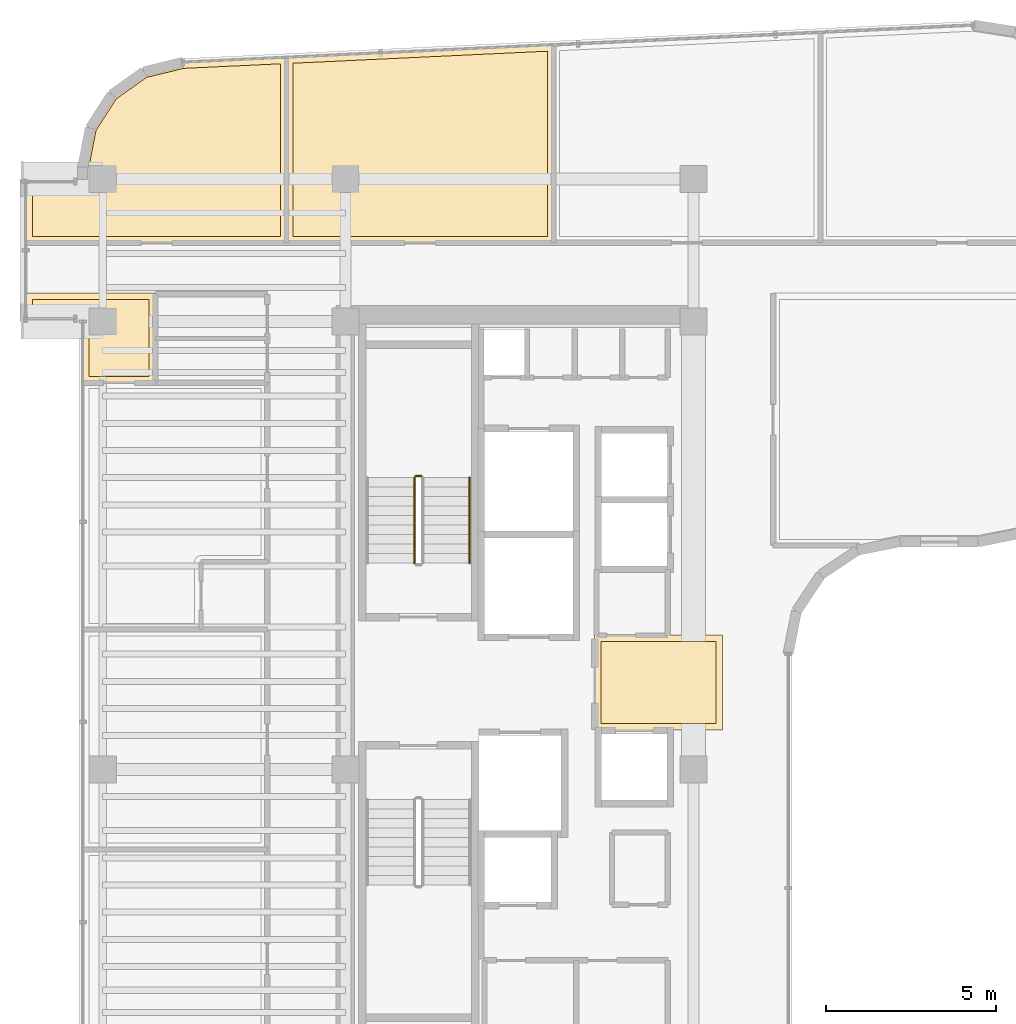
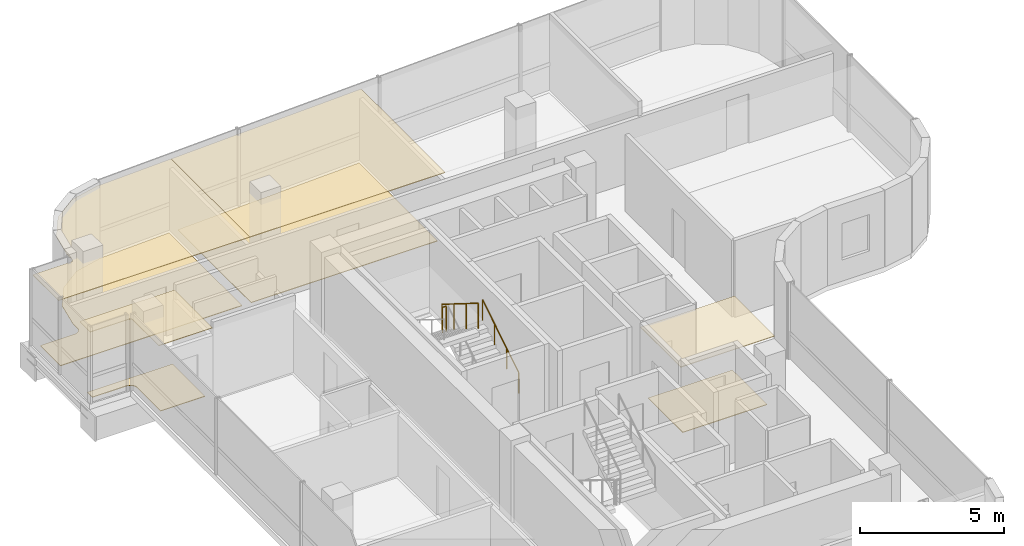
# One storey, part 20 of 21: 8 coverings, 3 railings.
"""IFC4 building model written with IfcOpenShell, lengths in metres."""

import ifcopenshell
import ifcopenshell.guid

model = None  # the IFC model being written
_history = None  # IfcOwnerHistory: only IFC2X3 demands one
_inside = {}  # id of a spatial element -> (the spatial element, [elements in it])
_under = {}  # id of a project, library or spatial element -> (it, [spatial elements below it])
_declared = {}  # id of a project -> (the project, [libraries it declares])
_typed = {}  # id of a type object -> (the type object, [elements of that type])
_made_of = {}  # id of a material, layer set ... -> (it, [elements and type objects made of it])


def new_model(schema):
    """Start an empty IFC model of exactly this schema.

    Asked for "IFC4X3", IfcOpenShell would pick the latest addendum, in which some entities
    have other attributes; the version numbers below select the first issue.
    IFC2X3 requires an IfcOwnerHistory on every rooted entity: one is made here for all.
    """
    global model, _history
    if schema == "IFC4X3":
        model = ifcopenshell.file(schema_version=(4, 3, 0, 0))
    else:
        model = ifcopenshell.file(schema=schema)
    _inside.clear()
    _under.clear()
    _declared.clear()
    _typed.clear()
    _made_of.clear()
    _history = None
    if model.schema == "IFC2X3":
        org = make("IfcOrganization", Name="unknown")
        user = make(
            "IfcPersonAndOrganization",
            ThePerson=make("IfcPerson", FamilyName="unknown"),
            TheOrganization=org,
        )
        app = make(
            "IfcApplication",
            ApplicationDeveloper=org,
            Version="unknown",
            ApplicationFullName="unknown",
            ApplicationIdentifier="unknown",
        )
        _history = make(
            "IfcOwnerHistory",
            OwningUser=user,
            OwningApplication=app,
            ChangeAction="ADDED",
            CreationDate=0,
        )
    return model


def make(cls, **values):
    """One entity of the class cls with the attributes given. An attribute that is None is left unset."""
    return model.create_entity(
        cls, **{name: value for name, value in values.items() if value is not None}
    )


def rooted(cls, **values):
    """An entity with a GlobalId (a new one), such as an element, a storey or a relation."""
    return make(cls, GlobalId=ifcopenshell.guid.new(), OwnerHistory=_history, **values)


def si_unit(unit_type, name, prefix=None):
    """IfcSIUnit, for example si_unit("LENGTHUNIT", "METRE", prefix="MILLI")."""
    return make("IfcSIUnit", UnitType=unit_type, Prefix=prefix, Name=name)


def assignment(units):
    """IfcUnitAssignment: the units of a project."""
    return None if units is None else make("IfcUnitAssignment", Units=units)


def point(xyz):
    """IfcCartesianPoint."""
    return None if xyz is None else make("IfcCartesianPoint", Coordinates=xyz)


def direction(xyz):
    """IfcDirection."""
    return None if xyz is None else make("IfcDirection", DirectionRatios=xyz)


def frame(location, z_axis=None, x_axis=None):
    """IfcAxis2Placement3D, a coordinate frame: its origin and axes. An axis left out is left unset."""
    return make(
        "IfcAxis2Placement3D",
        Location=point(location),
        Axis=direction(z_axis),
        RefDirection=direction(x_axis),
    )


def frame_2d(location, x_axis=None):
    """IfcAxis2Placement2D, a coordinate frame in the plane: its origin and x axis."""
    return make(
        "IfcAxis2Placement2D", Location=point(location), RefDirection=direction(x_axis)
    )


def origin():
    """The frame at (0, 0, 0) with its axes left unset."""
    return frame((0.0, 0.0, 0.0))


def origin_2d():
    """The frame at (0, 0) in the plane with its x axis left unset."""
    return frame_2d((0.0, 0.0))


def place(relative_to, where):
    """IfcLocalPlacement: puts the frame where relative to a parent placement (None: the world)."""
    return make(
        "IfcLocalPlacement", PlacementRelTo=relative_to, RelativePlacement=where
    )


def context(
    kind, dimensions, precision=None, world=None, true_north=None, identifier=None
):
    """IfcGeometricRepresentationContext, for example the 3D "Model" context."""
    return make(
        "IfcGeometricRepresentationContext",
        ContextIdentifier=identifier,
        ContextType=kind,
        CoordinateSpaceDimension=dimensions,
        Precision=precision,
        WorldCoordinateSystem=world,
        TrueNorth=true_north,
    )


def subcontext(parent, identifier, kind, view, scale=None):
    """IfcGeometricRepresentationSubContext, for example "Body" below "Model"."""
    return make(
        "IfcGeometricRepresentationSubContext",
        ContextIdentifier=identifier,
        ContextType=kind,
        ParentContext=parent,
        TargetScale=scale,
        TargetView=view,
    )


def project(units=None, contexts=None):
    """IfcProject with its units and contexts."""
    return rooted(
        "IfcProject",
        Name="project",
        RepresentationContexts=contexts,
        UnitsInContext=assignment(units),
    )


def spatial(cls, under=None, at=None, **own):
    """A site, building, storey or space (cls), placed at a placement, below another one or the project."""
    s = rooted(cls, ObjectPlacement=at, **own)
    if under is not None:
        _under.setdefault(under.id(), (under, []))[1].append(s)
    return s


def polyline(points):
    """IfcPolyline through the points."""
    return make("IfcPolyline", Points=[point(p) for p in points])


def profile(cls, at=None, kind="AREA", **sizes):
    """A parametric profile (cls). Its sizes go by their IFC names, for example OverallWidth=200.0."""
    return make(cls, ProfileType=kind, Position=at, **sizes)


def circle(**sizes):
    """IfcCircleProfileDef."""
    return profile("IfcCircleProfileDef", **sizes)


def outline(outer, holes=None, kind="AREA"):
    """IfcArbitraryClosedProfileDef: a profile drawn as a closed curve; with holes, ...WithVoids."""
    if holes is None:
        return make("IfcArbitraryClosedProfileDef", ProfileType=kind, OuterCurve=outer)
    return make(
        "IfcArbitraryProfileDefWithVoids",
        ProfileType=kind,
        OuterCurve=outer,
        InnerCurves=holes,
    )


def extrude(swept, where, along, depth):
    """IfcExtrudedAreaSolid: the profile swept, set in the frame where, extruded along a direction by depth."""
    return make(
        "IfcExtrudedAreaSolid",
        SweptArea=swept,
        Position=where,
        ExtrudedDirection=direction(along),
        Depth=depth,
    )


def shape(context_of_items, identifier, shape_type, items):
    """IfcShapeRepresentation: the items that make up one representation, for example the "Body"."""
    return make(
        "IfcShapeRepresentation",
        ContextOfItems=context_of_items,
        RepresentationIdentifier=identifier,
        RepresentationType=shape_type,
        Items=items,
    )


def material(Name=None, Category=None):
    """IfcMaterial."""
    return make("IfcMaterial", Name=Name, Category=Category)


def layer(
    of_material, thickness, ventilated=None, Name=None, Category=None, Priority=None
):
    """IfcMaterialLayer: one layer of a wall or slab, of a material (None: an air gap)."""
    return make(
        "IfcMaterialLayer",
        Material=of_material,
        LayerThickness=thickness,
        IsVentilated=ventilated,
        Name=Name,
        Category=Category,
        Priority=Priority,
    )


def layer_set(layers, Name=None):
    """IfcMaterialLayerSet."""
    return make("IfcMaterialLayerSet", MaterialLayers=layers, LayerSetName=Name)


def made_of(thing, what):
    """Note that an element or type object is made of a material, layer set ...; save() writes the relation."""
    if what is not None:
        _made_of.setdefault(what.id(), (what, []))[1].append(thing)
    return thing


def type_object(cls, material=None, **own):
    """A type object (cls), such as IfcWallType, which elements share."""
    return made_of(rooted(cls, **own), material)


def element(
    cls,
    number,
    at=None,
    inside=None,
    cuts=None,
    type_object=None,
    material=None,
    context=None,
    identifier="Body",
    shape_type=None,
    held_by="IfcProductDefinitionShape",
    body=None,
    shapes=None,
    **own,
):
    """One element of the class cls, such as IfcWall. Its Tag is "e" and its number.

    at: its placement. inside: the storey or other place that contains it. cuts: it is an
    opening in that element (IfcRelVoidsElement). A single representation is given by context,
    identifier, shape_type and body (its items); several are given by shapes. held_by: the class
    of the entity that holds the representations. save() writes the other relations.
    """
    e = rooted(cls, Tag="e%d" % number, ObjectPlacement=at, **own)
    if body is not None:
        shapes = [shape(context, identifier, shape_type, body)]
    if shapes is not None:
        e.Representation = make(held_by, Representations=shapes)
    if inside is not None:
        _inside.setdefault(inside.id(), (inside, []))[1].append(e)
    if cuts is not None:
        rooted(
            "IfcRelVoidsElement", RelatingBuildingElement=cuts, RelatedOpeningElement=e
        )
    if type_object is not None:
        _typed.setdefault(type_object.id(), (type_object, []))[1].append(e)
    return made_of(e, material)


def aggregate(whole, parts):
    """IfcRelAggregates: a whole, such as a stair, and the parts it consists of."""
    return rooted("IfcRelAggregates", RelatingObject=whole, RelatedObjects=parts)


def save(model, path):
    """Write the relations noted so far, then the file.

    IfcRelAggregates (storeys below a building ...), IfcRelContainedInSpatialStructure (elements
    in a storey), IfcRelDefinesByType, IfcRelAssociatesMaterial and IfcRelDeclares: one each for
    every whole, place, type object, material and project.
    """
    for whole, parts in _under.values():
        aggregate(whole, parts)
    for where, things in _inside.values():
        rooted(
            "IfcRelContainedInSpatialStructure",
            RelatedElements=things,
            RelatingStructure=where,
        )
    for kind, things in _typed.values():
        rooted("IfcRelDefinesByType", RelatedObjects=things, RelatingType=kind)
    for what, things in _made_of.values():
        rooted("IfcRelAssociatesMaterial", RelatedObjects=things, RelatingMaterial=what)
    for by, libraries in _declared.values():
        rooted("IfcRelDeclares", RelatingContext=by, RelatedDefinitions=libraries)
    model.write(path)


model = new_model("IFC4")

# Units and contexts
model_context = context("Model", 3, precision=1e-05, world=origin(), true_north=direction((0.0, 1.0)))
body_context = subcontext(model_context, "Body", "Model", "MODEL_VIEW")
ifc_project = project(units=[si_unit("LENGTHUNIT", "METRE"), si_unit("AREAUNIT", "SQUARE_METRE"), si_unit("VOLUMEUNIT", "CUBIC_METRE"), si_unit("PLANEANGLEUNIT", "RADIAN"), si_unit("MASSUNIT", "GRAM", prefix="KILO")], contexts=[model_context])

# Site, building, storey
site_placement = place(None, origin())
site = spatial("IfcSite", under=ifc_project, at=site_placement, CompositionType="ELEMENT")
building_placement = place(site_placement, origin())
building = spatial("IfcBuilding", under=site, at=building_placement, Name="Valdorenza Pilgrim Sanctuary Tower", CompositionType="ELEMENT")
storey_placement = place(building_placement, frame((0.0, 0.0, 258.0)))
storey = spatial("IfcBuildingStorey", under=building, at=storey_placement, Name="L67", CompositionType="ELEMENT", Elevation=258.0)

# Coverings
ifc_material_1 = material(Name="Micro-perforated acoustic mineral ceiling tile", Category="gypsum")
ifc_layer_1 = layer(ifc_material_1, 0.02490234375, Name="Micro-perforated acoustic mineral ceiling tile")
ifc_layer_set_1 = layer_set([ifc_layer_1], Name="Micro-perforated acoustic mineral ceiling tile")
covering_type_1 = type_object("IfcCoveringType", Name="COV-CLG-ACU", PredefinedType="CEILING", material=ifc_layer_set_1)
covering_1_placement = place(storey_placement, frame((0.0, 0.0, 2.9599609375)))
element("IfcCovering", 1, at=covering_1_placement, inside=storey, type_object=covering_type_1, Name="L67 Core A Passenger Lift Lobby Acoustic Ceiling", PredefinedType="CEILING", context=body_context, shape_type="SweptSolid", body=[
    extrude(outline(polyline([(-15.31494140625, 1.35009765625), (-15.31494140625, 1.3515625), (-15.314697265625, 1.352783203125), (-15.314453125, 1.3544921875), (-15.31396484375, 1.355712890625), (-15.313232421875, 1.357177734375), (-15.3125, 1.3583984375), (-15.3115234375, 1.359619140625), (-15.310546875, 1.360595703125), (-15.3095703125, 1.361572265625), (-15.308349609375, 1.362548828125), (-15.30712890625, 1.36328125), (-15.3056640625, 1.364013671875), (-15.304443359375, 1.364501953125), (-15.302978515625, 1.36474609375), (-15.301513671875, 1.364990234375), (-15.300048828125, 1.364990234375), (-11.550048828125, 1.364990234375), (-11.548583984375, 1.364990234375), (-11.547119140625, 1.36474609375), (-11.545654296875, 1.364501953125), (-11.544189453125, 1.364013671875), (-11.54296875, 1.36328125), (-11.541748046875, 1.362548828125), (-11.54052734375, 1.361572265625), (-11.539306640625, 1.360595703125), (-11.538330078125, 1.359619140625), (-11.53759765625, 1.3583984375), (-11.536865234375, 1.357177734375), (-11.5361328125, 1.355712890625), (-11.53564453125, 1.3544921875), (-11.535400390625, 1.352783203125), (-11.53515625, 1.3515625), (-11.534912109375, 1.35009765625), (-11.534912109375, -1.419921875), (-11.53515625, -1.42138671875), (-11.535400390625, -1.4228515625), (-11.53564453125, -1.42431640625), (-11.5361328125, -1.42578125), (-11.536865234375, -1.427001953125), (-11.53759765625, -1.42822265625), (-11.538330078125, -1.429443359375), (-11.539306640625, -1.4306640625), (-11.54052734375, -1.431640625), (-11.541748046875, -1.4326171875), (-11.54296875, -1.43310546875), (-11.544189453125, -1.433837890625), (-11.545654296875, -1.434326171875), (-11.547119140625, -1.434814453125), (-11.548583984375, -1.434814453125), (-11.550048828125, -1.43505859375), (-15.298095703125, -1.43505859375), (-15.299560546875, -1.434814453125), (-15.30078125, -1.434814453125), (-15.302490234375, -1.434326171875), (-15.3037109375, -1.433837890625), (-15.30517578125, -1.43310546875), (-15.306396484375, -1.4326171875), (-15.3076171875, -1.431640625), (-15.30859375, -1.4306640625), (-15.3095703125, -1.429443359375), (-15.310546875, -1.42822265625), (-15.311279296875, -1.427001953125), (-15.31201171875, -1.42578125), (-15.3125, -1.42431640625), (-15.312744140625, -1.4228515625), (-15.31298828125, -1.42138671875), (-15.31298828125, -1.419921875), (-15.31298828125, 1.244384765625), (-15.31298828125, 1.24462890625), (-15.313720703125, 1.24609375), (-15.314208984375, 1.24755859375), (-15.314697265625, 1.2490234375), (-15.31494140625, 1.25048828125), (-15.31494140625, 1.251953125), (-15.31494140625, 1.35009765625)])), origin(), (0.0, 0.0, 1.0), 0.025146484375),
])
covering_2_placement = place(storey_placement, frame((0.0, 0.0, 2.9599609375)))
element("IfcCovering", 2, at=covering_2_placement, inside=storey, type_object=covering_type_1, Name="L67 Pilgrim Scholar Office L67-WN Acoustic Ceiling", PredefinedType="CEILING", context=body_context, shape_type="SweptSolid", body=[
    extrude(outline(polyline([(-28.237060546875, 11.39453125), (-28.237060546875, 10.103759765625), (-28.23681640625, 10.10302734375), (-28.23681640625, 10.1015625), (-28.23681640625, 10.10009765625), (-28.23681640625, 10.098388671875), (-28.237060546875, 10.09814453125), (-28.237060546875, 8.800048828125), (-28.237060546875, 8.798583984375), (-28.2373046875, 8.797119140625), (-28.237548828125, 8.795654296875), (-28.238037109375, 8.794189453125), (-28.23876953125, 8.79296875), (-28.239501953125, 8.791748046875), (-28.240478515625, 8.79052734375), (-28.241455078125, 8.789306640625), (-28.242431640625, 8.788330078125), (-28.24365234375, 8.78759765625), (-28.244873046875, 8.786865234375), (-28.246337890625, 8.7861328125), (-28.24755859375, 8.78564453125), (-28.2490234375, 8.785400390625), (-28.25048828125, 8.78515625), (-28.251953125, 8.784912109375), (-30.389892578125, 8.784912109375), (-30.3916015625, 8.78515625), (-30.392822265625, 8.785400390625), (-30.394287109375, 8.78564453125), (-30.395751953125, 8.7861328125), (-30.397216796875, 8.786865234375), (-30.398193359375, 8.78759765625), (-30.3994140625, 8.788330078125), (-30.400634765625, 8.789306640625), (-30.401611328125, 8.79052734375), (-30.402587890625, 8.791748046875), (-30.4033203125, 8.79296875), (-30.40380859375, 8.794189453125), (-30.404296875, 8.795654296875), (-30.40478515625, 8.797119140625), (-30.40478515625, 8.798583984375), (-30.405029296875, 8.800048828125), (-30.405029296875, 10.599609375), (-30.405517578125, 10.609375), (-30.40673828125, 10.618408203125), (-30.4091796875, 10.627685546875), (-30.412109375, 10.63623046875), (-30.416259765625, 10.644775390625), (-30.4208984375, 10.65283203125), (-30.426513671875, 10.660400390625), (-30.432861328125, 10.667236328125), (-30.439697265625, 10.67333984375), (-30.447265625, 10.678955078125), (-30.455078125, 10.683837890625), (-30.463623046875, 10.687744140625), (-30.472412109375, 10.69091796875), (-30.4814453125, 10.693115234375), (-30.49072265625, 10.694580078125), (-30.50048828125, 10.695068359375), (-32.0400390625, 10.695068359375), (-32.04150390625, 10.695068359375), (-32.04296875, 10.6953125), (-32.04443359375, 10.695556640625), (-32.045654296875, 10.696044921875), (-32.047119140625, 10.69677734375), (-32.04833984375, 10.697509765625), (-32.049560546875, 10.698486328125), (-32.050537109375, 10.699462890625), (-32.051513671875, 10.700439453125), (-32.052490234375, 10.70166015625), (-32.05322265625, 10.702880859375), (-32.053955078125, 10.704345703125), (-32.054443359375, 10.70556640625), (-32.0546875, 10.70703125), (-32.054931640625, 10.70849609375), (-32.054931640625, 10.7099609375), (-32.054931640625, 11.419921875), (-32.054931640625, 11.42138671875), (-32.0546875, 11.4228515625), (-32.054443359375, 11.42431640625), (-32.053955078125, 11.42578125), (-32.05322265625, 11.427001953125), (-32.052490234375, 11.42822265625), (-32.051513671875, 11.429443359375), (-32.050537109375, 11.4306640625), (-32.049560546875, 11.431640625), (-32.04833984375, 11.4326171875), (-32.047119140625, 11.43310546875), (-32.045654296875, 11.433837890625), (-32.04443359375, 11.434326171875), (-32.04296875, 11.434814453125), (-32.04150390625, 11.434814453125), (-32.0400390625, 11.43505859375), (-28.25, 11.43505859375), (-28.24853515625, 11.434814453125), (-28.2470703125, 11.434814453125), (-28.24560546875, 11.434326171875), (-28.244384765625, 11.433837890625), (-28.242919921875, 11.43310546875), (-28.24169921875, 11.4326171875), (-28.240478515625, 11.431640625), (-28.239501953125, 11.4306640625), (-28.23828125, 11.429443359375), (-28.237548828125, 11.42822265625), (-28.23681640625, 11.427001953125), (-28.236083984375, 11.42578125), (-28.235595703125, 11.42431640625), (-28.2353515625, 11.4228515625), (-28.235107421875, 11.42138671875), (-28.235107421875, 11.419921875), (-28.235107421875, 11.402099609375), (-28.235107421875, 11.400390625), (-28.2353515625, 11.39892578125), (-28.235595703125, 11.3974609375), (-28.236083984375, 11.39599609375), (-28.23681640625, 11.394775390625), (-28.237060546875, 11.39453125)])), origin(), (0.0, 0.0, 1.0), 0.025146484375),
])
covering_3_placement = place(storey_placement, frame((0.0, 0.0, 2.9599609375)))
element("IfcCovering", 3, at=covering_3_placement, inside=storey, type_object=covering_type_1, Name="L67 Sanctuary Administration Office L67-N1 Acoustic Ceiling", PredefinedType="CEILING", context=body_context, shape_type="SweptSolid", body=[
    extrude(outline(polyline([(-32.0400390625, 12.905029296875), (-32.04150390625, 12.905029296875), (-32.04296875, 12.9052734375), (-32.04443359375, 12.905517578125), (-32.045654296875, 12.906005859375), (-32.047119140625, 12.90673828125), (-32.04833984375, 12.907470703125), (-32.049560546875, 12.908447265625), (-32.050537109375, 12.909423828125), (-32.051513671875, 12.910400390625), (-32.052490234375, 12.91162109375), (-32.05322265625, 12.912841796875), (-32.053955078125, 12.914306640625), (-32.054443359375, 12.91552734375), (-32.0546875, 12.9169921875), (-32.054931640625, 12.91845703125), (-32.054931640625, 12.919921875), (-32.054931640625, 14.68994140625), (-32.054931640625, 14.69140625), (-32.0546875, 14.69287109375), (-32.054443359375, 14.6943359375), (-32.053955078125, 14.69580078125), (-32.05322265625, 14.697021484375), (-32.052490234375, 14.6982421875), (-32.051513671875, 14.699462890625), (-32.050537109375, 14.70068359375), (-32.049560546875, 14.70166015625), (-32.04833984375, 14.702392578125), (-32.047119140625, 14.703125), (-32.045654296875, 14.703857421875), (-32.04443359375, 14.704345703125), (-32.04296875, 14.70458984375), (-32.04150390625, 14.704833984375), (-32.0400390625, 14.705078125), (-30.50048828125, 14.705078125), (-30.49072265625, 14.70556640625), (-30.4814453125, 14.706787109375), (-30.472412109375, 14.708984375), (-30.463623046875, 14.712158203125), (-30.455078125, 14.71630859375), (-30.447265625, 14.720947265625), (-30.439697265625, 14.7265625), (-30.432861328125, 14.73291015625), (-30.426513671875, 14.73974609375), (-30.4208984375, 14.747314453125), (-30.416259765625, 14.755126953125), (-30.412109375, 14.763671875), (-30.4091796875, 14.7724609375), (-30.40673828125, 14.781494140625), (-30.405517578125, 14.790771484375), (-30.405029296875, 14.80029296875), (-30.405029296875, 15.13671875), (-30.40478515625, 15.13818359375), (-30.40478515625, 15.1396484375), (-30.181396484375, 16.298095703125), (-30.180908203125, 16.299560546875), (-30.180419921875, 16.30078125), (-30.179931640625, 16.30224609375), (-30.17919921875, 16.303466796875), (-29.547119140625, 17.286865234375), (-29.546142578125, 17.2880859375), (-29.545166015625, 17.2890625), (-29.544189453125, 17.2900390625), (-29.54296875, 17.291015625), (-28.59033203125, 17.968994140625), (-28.589111328125, 17.9697265625), (-28.587890625, 17.97021484375), (-28.586669921875, 17.970947265625), (-28.585205078125, 17.97119140625), (-27.438720703125, 18.248779296875), (-27.437255859375, 18.249267578125), (-27.435791015625, 18.249267578125), (-24.380615234375, 18.393310546875), (-24.379150390625, 18.393310546875), (-24.377685546875, 18.393310546875), (-24.376220703125, 18.392822265625), (-24.374755859375, 18.392333984375), (-24.373291015625, 18.391845703125), (-24.3720703125, 18.39111328125), (-24.370849609375, 18.39013671875), (-24.36962890625, 18.38916015625), (-24.36865234375, 18.38818359375), (-24.36767578125, 18.386962890625), (-24.366943359375, 18.385498046875), (-24.3662109375, 18.38427734375), (-24.36572265625, 18.3828125), (-24.365234375, 18.38134765625), (-24.364990234375, 18.3798828125), (-24.364990234375, 18.37841796875), (-24.364990234375, 12.919921875), (-24.364990234375, 12.91845703125), (-24.365234375, 12.9169921875), (-24.365478515625, 12.91552734375), (-24.3662109375, 12.914306640625), (-24.36669921875, 12.912841796875), (-24.367431640625, 12.91162109375), (-24.368408203125, 12.910400390625), (-24.369384765625, 12.909423828125), (-24.37060546875, 12.908447265625), (-24.37158203125, 12.907470703125), (-24.372802734375, 12.90673828125), (-24.374267578125, 12.906005859375), (-24.37548828125, 12.905517578125), (-24.377197265625, 12.9052734375), (-24.37841796875, 12.905029296875), (-24.3798828125, 12.905029296875), (-32.0400390625, 12.905029296875)])), origin(), (0.0, 0.0, 1.0), 0.025146484375),
])
covering_4_placement = place(storey_placement, frame((0.0, 0.0, 2.9599609375)))
element("IfcCovering", 4, at=covering_4_placement, inside=storey, type_object=covering_type_1, Name="L67 Sanctuary Administration Office L67-N2 Acoustic Ceiling", PredefinedType="CEILING", context=body_context, shape_type="SweptSolid", body=[
    extrude(outline(polyline([(-24.39306640625, 18.37841796875), (-24.39306640625, 18.379150390625), (-24.392822265625, 18.380615234375), (-24.392578125, 18.382080078125), (-24.39208984375, 18.383544921875), (-24.3916015625, 18.384765625), (-24.390869140625, 18.385986328125), (-24.39013671875, 18.387451171875), (-24.38916015625, 18.388427734375), (-24.38818359375, 18.389404296875), (-24.386962890625, 18.390380859375), (-24.3857421875, 18.391357421875), (-24.384521484375, 18.39208984375), (-24.383056640625, 18.392578125), (-24.381591796875, 18.39306640625), (-24.380126953125, 18.393310546875), (-24.378662109375, 18.393310546875), (-16.520751953125, 18.763916015625), (-16.519287109375, 18.763916015625), (-16.517578125, 18.763671875), (-16.51611328125, 18.763427734375), (-16.514892578125, 18.762939453125), (-16.513427734375, 18.76220703125), (-16.511962890625, 18.76171875), (-16.5107421875, 18.7607421875), (-16.509521484375, 18.759765625), (-16.508544921875, 18.758544921875), (-16.5078125, 18.75732421875), (-16.5068359375, 18.756103515625), (-16.506103515625, 18.7548828125), (-16.505615234375, 18.75341796875), (-16.50537109375, 18.751953125), (-16.505126953125, 18.75048828125), (-16.5048828125, 18.748779296875), (-16.5048828125, 12.919921875), (-16.505126953125, 12.91845703125), (-16.50537109375, 12.9169921875), (-16.505615234375, 12.91552734375), (-16.506103515625, 12.914306640625), (-16.5068359375, 12.912841796875), (-16.507568359375, 12.91162109375), (-16.50830078125, 12.910400390625), (-16.509521484375, 12.909423828125), (-16.510498046875, 12.908447265625), (-16.51171875, 12.907470703125), (-16.512939453125, 12.90673828125), (-16.514404296875, 12.906005859375), (-16.515625, 12.905517578125), (-16.51708984375, 12.9052734375), (-16.5185546875, 12.905029296875), (-16.52001953125, 12.905029296875), (-24.3779296875, 12.905029296875), (-24.37939453125, 12.905029296875), (-24.380859375, 12.9052734375), (-24.38232421875, 12.905517578125), (-24.3837890625, 12.906005859375), (-24.385009765625, 12.90673828125), (-24.38623046875, 12.907470703125), (-24.387451171875, 12.908447265625), (-24.388671875, 12.909423828125), (-24.3896484375, 12.910400390625), (-24.390380859375, 12.91162109375), (-24.39111328125, 12.912841796875), (-24.391845703125, 12.914306640625), (-24.392333984375, 12.91552734375), (-24.392578125, 12.9169921875), (-24.392822265625, 12.91845703125), (-24.39306640625, 12.919921875), (-24.39306640625, 18.37841796875), (-24.39306640625, 18.37841796875)])), origin(), (0.0, 0.0, 1.0), 0.025146484375),
])
ifc_material_2 = material(Name="Honed travertine stone flooring", Category="masonry")
ifc_layer_2 = layer(ifc_material_2, 0.030029296875, Name="Honed travertine stone flooring")
ifc_layer_set_2 = layer_set([ifc_layer_2], Name="Honed travertine stone flooring")
covering_type_2 = type_object("IfcCoveringType", Name="COV-FLR-TRV", PredefinedType="FLOORING", material=ifc_layer_set_2)
covering_5_placement = place(storey_placement, origin())
element("IfcCovering", 5, at=covering_5_placement, inside=storey, type_object=covering_type_2, Name="L67 Core A Passenger Lift Lobby Flooring", PredefinedType="FLOORING", context=body_context, shape_type="SweptSolid", body=[
    extrude(outline(polyline([(-15.117919921875, 1.169921875), (-11.72998046875, 1.169921875), (-11.72998046875, -1.239990234375), (-15.117919921875, -1.239990234375), (-15.117919921875, 1.169921875)])), origin(), (0.0, 0.0, 1.0), 0.02490234375),
])
covering_6_placement = place(storey_placement, origin())
element("IfcCovering", 6, at=covering_6_placement, inside=storey, type_object=covering_type_2, Name="L67 Pilgrim Scholar Office L67-WN Flooring", PredefinedType="FLOORING", context=body_context, shape_type="SweptSolid", body=[
    extrude(outline(polyline([(-28.431884765625, 11.239990234375), (-28.431884765625, 10.10205078125), (-28.431884765625, 10.10107421875), (-28.431884765625, 10.100341796875), (-28.431884765625, 10.10009765625), (-28.431884765625, 8.97998046875), (-30.2099609375, 8.97998046875), (-30.2099609375, 10.60009765625), (-30.210205078125, 10.60888671875), (-30.210693359375, 10.61962890625), (-30.21240234375, 10.63720703125), (-30.214111328125, 10.64794921875), (-30.217529296875, 10.665283203125), (-30.22021484375, 10.67578125), (-30.225341796875, 10.692626953125), (-30.22900390625, 10.70263671875), (-30.235595703125, 10.718994140625), (-30.240234375, 10.728759765625), (-30.24853515625, 10.744384765625), (-30.254150390625, 10.753662109375), (-30.263916015625, 10.768310546875), (-30.2705078125, 10.777099609375), (-30.281494140625, 10.790771484375), (-30.288818359375, 10.798583984375), (-30.30126953125, 10.811279296875), (-30.309326171875, 10.818359375), (-30.322998046875, 10.82958984375), (-30.331787109375, 10.8359375), (-30.34619140625, 10.845947265625), (-30.355712890625, 10.851318359375), (-30.37109375, 10.859619140625), (-30.380859375, 10.8642578125), (-30.397216796875, 10.87109375), (-30.407470703125, 10.874755859375), (-30.42431640625, 10.8798828125), (-30.434814453125, 10.882568359375), (-30.4521484375, 10.885986328125), (-30.462890625, 10.887451171875), (-30.48046875, 10.889404296875), (-30.4912109375, 10.889892578125), (-30.5, 10.889892578125), (-31.860107421875, 10.889892578125), (-31.860107421875, 11.239990234375), (-28.431884765625, 11.239990234375)])), origin(), (0.0, 0.0, 1.0), 0.02490234375),
])
covering_7_placement = place(storey_placement, origin())
element("IfcCovering", 7, at=covering_7_placement, inside=storey, type_object=covering_type_2, Name="L67 Sanctuary Administration Office L67-N1 Flooring", PredefinedType="FLOORING", context=body_context, shape_type="SweptSolid", body=[
    extrude(outline(polyline([(-31.860107421875, 13.10009765625), (-31.860107421875, 14.510009765625), (-30.5, 14.510009765625), (-30.4912109375, 14.51025390625), (-30.48046875, 14.5107421875), (-30.462890625, 14.512451171875), (-30.4521484375, 14.51416015625), (-30.434814453125, 14.517578125), (-30.42431640625, 14.52001953125), (-30.407470703125, 14.525390625), (-30.397216796875, 14.52880859375), (-30.380859375, 14.53564453125), (-30.37109375, 14.540283203125), (-30.355712890625, 14.548583984375), (-30.34619140625, 14.55419921875), (-30.331787109375, 14.56396484375), (-30.322998046875, 14.5703125), (-30.309326171875, 14.58154296875), (-30.30126953125, 14.5888671875), (-30.288818359375, 14.601318359375), (-30.281494140625, 14.609375), (-30.2705078125, 14.623046875), (-30.263916015625, 14.631591796875), (-30.254150390625, 14.646240234375), (-30.24853515625, 14.655517578125), (-30.240234375, 14.671142578125), (-30.235595703125, 14.680908203125), (-30.22900390625, 14.697265625), (-30.225341796875, 14.70751953125), (-30.22021484375, 14.724365234375), (-30.217529296875, 14.73486328125), (-30.214111328125, 14.752197265625), (-30.21240234375, 14.7626953125), (-30.210693359375, 14.780517578125), (-30.210205078125, 14.791259765625), (-30.2099609375, 14.800048828125), (-30.2099609375, 15.11962890625), (-29.996337890625, 16.227294921875), (-29.401611328125, 17.152099609375), (-28.505615234375, 17.789794921875), (-27.409423828125, 18.055419921875), (-24.56005859375, 18.189697265625), (-24.56005859375, 13.10009765625), (-31.860107421875, 13.10009765625)])), origin(), (0.0, 0.0, 1.0), 0.02490234375),
])
covering_8_placement = place(storey_placement, origin())
element("IfcCovering", 8, at=covering_8_placement, inside=storey, type_object=covering_type_2, Name="L67 Sanctuary Administration Office L67-N2 Flooring", PredefinedType="FLOORING", context=body_context, shape_type="SweptSolid", body=[
    extrude(outline(polyline([(-24.197998046875, 13.10009765625), (-24.197998046875, 18.20654296875), (-16.699951171875, 18.560302734375), (-16.699951171875, 13.10009765625), (-24.197998046875, 13.10009765625)])), origin(), (0.0, 0.0, 1.0), 0.02490234375),
])

# Railings
ifc_material_3 = material(Name="Stainless steel Grade 316", Category="steel")
railing_type_1 = type_object("IfcRailingType", Name="RLG-GRD-1120", PredefinedType="GUARDRAIL", material=ifc_material_3)
railing_1_placement = place(storey_placement, frame((-20.419921875, 6.050048828125, 1.75)))
element("IfcRailing", 9, at=railing_1_placement, inside=storey, type_object=railing_type_1, Name="L67 ST-A1 stair guard 2", PredefinedType="GUARDRAIL", context=body_context, shape_type="SweptSolid", body=[
    extrude(circle(Radius=0.02392578125, at=origin_2d()), frame((0.0, 0.0, 1.076171875), z_axis=(-1.0, 0.0, 0.0), x_axis=(0.0, -1.0, 0.0)), (0.0, 0.0, 1.0), 0.150146484375),
    extrude(circle(Radius=0.02099609375, at=origin_2d()), origin(), (0.0, 0.0, 1.0), 1.052001953125),
    extrude(circle(Radius=0.02099609375, at=origin_2d()), frame((-0.150146484375, 0.0, 0.0)), (0.0, 0.0, 1.0), 1.052001953125),
])
railing_2_placement = place(storey_placement, frame((-20.6201171875, 6.0, 1.925048828125)))
element("IfcRailing", 10, at=railing_2_placement, inside=storey, type_object=railing_type_1, Name="L67 ST-A1 stair guard 3", PredefinedType="GUARDRAIL", context=body_context, shape_type="SweptSolid", body=[
    extrude(circle(Radius=0.02392578125, at=origin_2d()), frame((0.0, 0.0, 1.076171875), z_axis=(0.0, -0.848007534815, 0.529984170421), x_axis=(1.0, 0.0, 0.0)), (0.0, 0.0, 1.0), 2.9716796875),
    extrude(circle(Radius=0.02099609375, at=origin_2d()), origin(), (0.0, 0.0, 1.0), 1.052001953125),
    extrude(circle(Radius=0.02099609375, at=origin_2d()), frame((0.0, -0.840087890625, 0.52490234375)), (0.0, 0.0, 1.0), 1.052001953125),
    extrude(circle(Radius=0.02099609375, at=origin_2d()), frame((0.0, -1.679931640625, 1.050048828125)), (0.0, 0.0, 1.0), 1.052001953125),
    extrude(circle(Radius=0.02099609375, at=origin_2d()), frame((0.0, -2.52001953125, 1.574951171875)), (0.0, 0.0, 1.0), 1.052001953125),
])
ifc_material_4 = material(Name="Brushed stainless steel Grade 316", Category="steel")
railing_type_2 = type_object("IfcRailingType", Name="RLG-HND-920", PredefinedType="HANDRAIL", material=ifc_material_4)
railing_3_placement = place(storey_placement, frame((-18.989990234375, 3.47998046875, 0.175048828125)))
element("IfcRailing", 11, at=railing_3_placement, inside=storey, type_object=railing_type_2, Name="L67 ST-A1 stair handrail 1", PredefinedType="HANDRAIL", context=body_context, shape_type="SweptSolid", body=[
    extrude(circle(Radius=0.02392578125, at=origin_2d()), frame((0.0, 0.0, 0.8759765625), z_axis=(0.0, 0.848007534815, 0.529984170421), x_axis=(-1.0, 0.0, 0.0)), (0.0, 0.0, 1.0), 2.9716796875),
    extrude(circle(Radius=0.02099609375, at=origin_2d()), origin(), (0.0, 0.0, 1.0), 0.851806640625),
    extrude(circle(Radius=0.02099609375, at=origin_2d()), frame((0.0, 0.840087890625, 0.52490234375)), (0.0, 0.0, 1.0), 0.851806640625),
    extrude(circle(Radius=0.02099609375, at=origin_2d()), frame((0.0, 1.679931640625, 1.050048828125)), (0.0, 0.0, 1.0), 0.851806640625),
    extrude(circle(Radius=0.02099609375, at=origin_2d()), frame((0.0, 2.52001953125, 1.574951171875)), (0.0, 0.0, 1.0), 0.851806640625),
])

save(model, "model.ifc")
